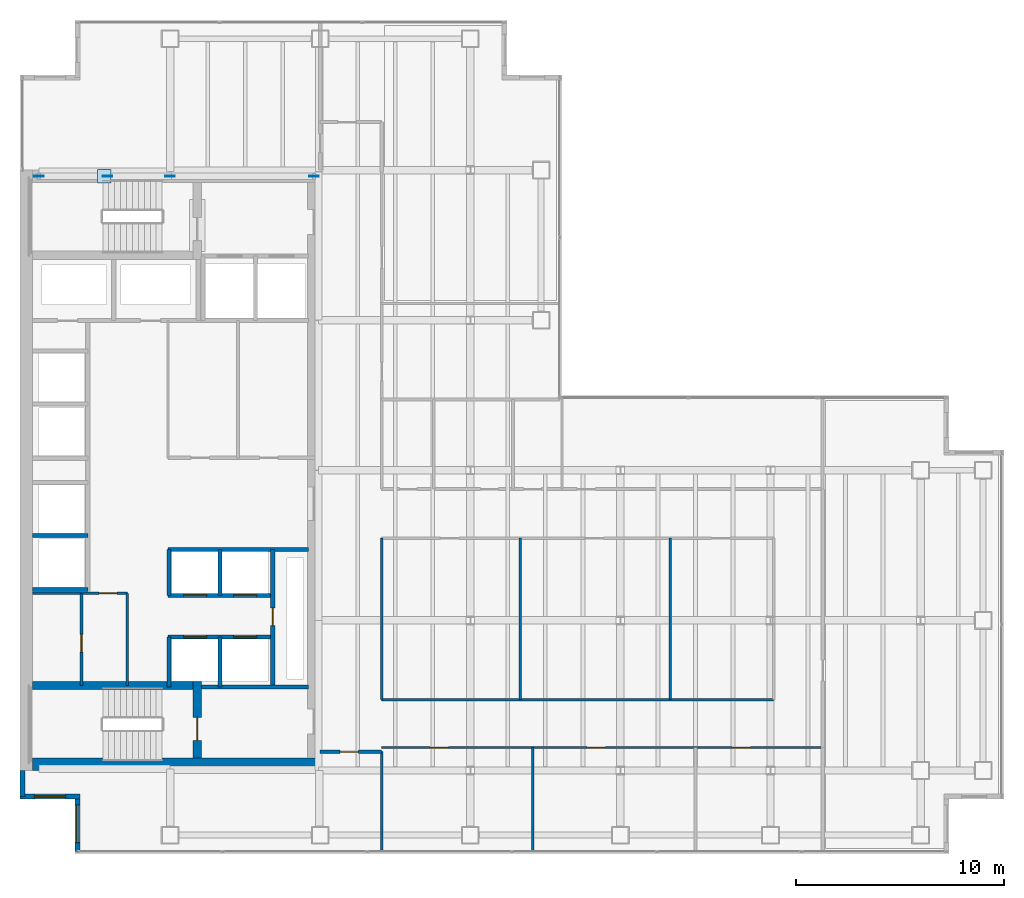
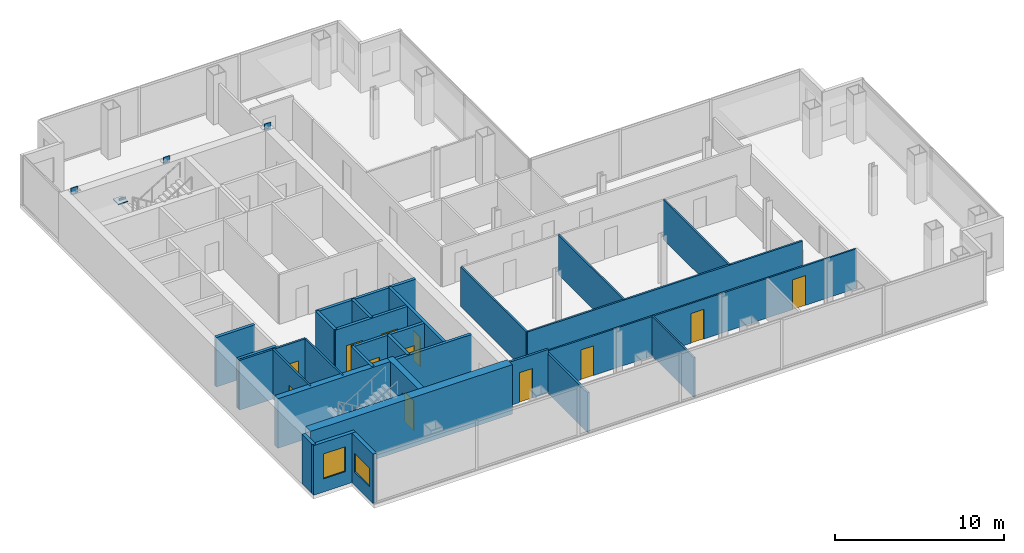
# One storey, part 20 of 24: 28 walls, 12 doors, 5 plates, 2 windows, 14 openings.
"""IFC4 building model written with IfcOpenShell, lengths in metres."""

from ifc_helpers import new_model, si_unit, direction, frame, frame_2d, origin, origin_2d, place, context, subcontext, project, spatial, rectangle, extrude, material, layer, layer_set, type_object, element, fill, save


model = new_model("IFC4")

# Units and contexts
model_context = context("Model", 3, precision=1e-05, world=origin(), true_north=direction((0.0, 1.0)))
body_context = subcontext(model_context, "Body", "Model", "MODEL_VIEW")
ifc_project = project(units=[si_unit("LENGTHUNIT", "METRE"), si_unit("AREAUNIT", "SQUARE_METRE"), si_unit("VOLUMEUNIT", "CUBIC_METRE"), si_unit("PLANEANGLEUNIT", "RADIAN"), si_unit("MASSUNIT", "GRAM", prefix="KILO")], contexts=[model_context])

# Site, building, storey
site_placement = place(None, origin())
site = spatial("IfcSite", under=ifc_project, at=site_placement, CompositionType="ELEMENT")
building_placement = place(site_placement, origin())
building = spatial("IfcBuilding", under=site, at=building_placement, Name="Cobrela Telecom Tower", CompositionType="ELEMENT")
storey_placement = place(building_placement, frame((0.0, 0.0, 152.25)))
storey = spatial("IfcBuildingStorey", under=building, at=storey_placement, Name="L38", CompositionType="ELEMENT", Elevation=152.25)

# Plates
ifc_material_1 = material(Name="Steel ASTM A572 Grade 50", Category="steel")
ifc_layer_1 = layer(ifc_material_1, 0.0419921875)
ifc_layer_set_1 = layer_set([ifc_layer_1], Name="Steel ASTM A572 Grade 50")
plate_type = type_object("IfcPlateType", Name="PLT-NODE-ND1", PredefinedType="USERDEFINED", material=ifc_layer_set_1)
for number, where, z_axis, x_axis, name in (
    (1, (7.199951171875, 35.699951171875, 3.39013671875), (0.0, 0.0, 1.0), (1.0, 0.0, 0.0), "Steel node plate PLT-MBR-EXO-L38-N1-A-1"),
    (2, (4.1953125, 35.699951171875, 1.4755859375), (0.0, 0.0, 1.0), (-1.0, 0.0, 0.0), "Steel node plate PLT-MBR-EXO-L38-N1-B1-1"),
    (3, (0.89990234375, 35.699951171875, 3.39013671875), (0.0, 0.0, 1.0), (-1.0, 0.0, 0.0), "Steel node plate PLT-MBR-EXO-L38-N1-B2-1"),
):
    element("IfcPlate", number, at=place(storey_placement, frame(where, z_axis=z_axis, x_axis=x_axis)), inside=storey, type_object=plate_type, Name=name, ObjectType="GUSSET PLATE", PredefinedType="USERDEFINED", context=body_context, shape_type="SweptSolid", body=[
        extrude(rectangle(XDim=0.4599609375, YDim=0.044921875, at=origin_2d()), origin(), (0.0, 0.0, 1.0), 0.4599609375),
    ])
plate_1_placement = place(storey_placement, frame((4.050048828125, 35.699951171875, 1.767578125), z_axis=(0.0, 0.0, 1.0), x_axis=(1.0, 0.0, 0.0)))
element("IfcPlate", 4, at=plate_1_placement, inside=storey, type_object=plate_type, Name="L38 Core Flange Steel X-Brace Central X-Crossing Gusset Plate", ObjectType="GUSSET PLATE", PredefinedType="USERDEFINED", context=body_context, shape_type="SweptSolid", body=[
    extrude(rectangle(XDim=0.64990234375, YDim=0.64990234375, at=origin_2d()), origin(), (0.0, 0.0, 1.0), 0.044921875),
])
plate_2_placement = place(storey_placement, frame((14.10009765625, 35.699951171875, 3.39013671875), z_axis=(0.0, 0.0, 1.0), x_axis=(1.0, 0.0, 0.0)))
element("IfcPlate", 5, at=plate_2_placement, inside=storey, type_object=plate_type, Name="Steel node plate PLT-MBR-EXO-L38-N2-1", ObjectType="GUSSET PLATE", PredefinedType="USERDEFINED", context=body_context, shape_type="SweptSolid", body=[
    extrude(rectangle(XDim=0.4599609375, YDim=0.044921875, at=origin_2d()), origin(), (0.0, 0.0, 1.0), 0.4599609375),
])

# Wall
ifc_material_2 = material(Name="Concrete C50/60", Category="concrete")
ifc_layer_2 = layer(ifc_material_2, 0.60009765625)
ifc_layer_set_2 = layer_set([ifc_layer_2], Name="Concrete C50/60")
wall_type_1 = type_object("IfcWallType", Name="WALL-CORE-C50-600", PredefinedType="SHEAR", material=ifc_layer_set_2)
wall_1_placement = place(storey_placement, frame((0.60009765625, 7.5, 0.0), z_axis=(0.0, 0.0, 1.0), x_axis=(1.0, 0.0, 0.0)))
element("IfcWall", 6, at=wall_1_placement, inside=storey, type_object=wall_type_1, Name="L38 South Core Shear Wall", PredefinedType="SHEAR", context=body_context, shape_type="SweptSolid", body=[
    extrude(rectangle(XDim=13.7998046875, YDim=0.60009765625, at=frame_2d((6.89990234375, 0.0))), origin(), (0.0, 0.0, 1.0), 3.580078125),
])

# Wall, opening, window
ifc_material_3 = material(Name="Concrete C40/50", Category="concrete")
ifc_layer_3 = layer(ifc_material_3, 0.239990234375)
ifc_layer_set_3 = layer_set([ifc_layer_3], Name="Concrete C40/50")
wall_type_2 = type_object("IfcWallType", Name="WALL-EXT-300", PredefinedType="STANDARD", material=ifc_layer_set_3)
wall_2_placement = place(storey_placement, frame((2.75, 3.320068359375, 0.0), z_axis=(0.0, 0.0, 1.0), x_axis=(0.0, 1.0, 0.0)))
wall_2 = element("IfcWall", 7, at=wall_2_placement, inside=storey, type_object=wall_type_2, Name="L38 Insulated Facade Wall 01", PredefinedType="STANDARD", context=body_context, shape_type="SweptSolid", body=[
    extrude(rectangle(XDim=2.6298828125, YDim=0.239990234375, at=frame_2d((1.31494140625, 0.0))), origin(), (0.0, 0.0, 1.0), 3.580078125),
])
opening_1_placement = place(wall_2_placement, frame((0.4150390625, 0.0, 0.949951171875)))
opening_1 = element("IfcOpeningElement", 8, at=opening_1_placement, cuts=wall_2, Name="Opening WN-27", PredefinedType="OPENING", context=body_context, shape_type="SweptSolid", body=[
    extrude(rectangle(XDim=1.800048828125, YDim=1.35009765625, at=frame_2d((0.89990234375, 0.675048828125))), frame((0.0, 0.1318359375, 0.0), z_axis=(0.0, -1.0, 0.0), x_axis=(1.0, 0.0, 0.0)), (0.0, 0.0, 1.0), 0.263916015625),
])
ifc_material_4 = material(Name="Solar-Control Bronze Low-E Glass", Category="glass")
window_type_1 = type_object("IfcWindowType", Name="WIN-CLER-1800", PartitioningType="SINGLE_PANEL", PredefinedType="WINDOW", material=ifc_material_4)
window_1_placement = place(opening_1_placement, origin())
window_1 = element("IfcWindow", 9, at=window_1_placement, inside=storey, type_object=window_type_1, Name="L38 Corner Notch Facade Window 180", OverallHeight=1.35009765625, OverallWidth=1.800048828125, PartitioningType="SINGLE_PANEL", PredefinedType="WINDOW", context=body_context, shape_type="SweptSolid", body=[
    extrude(rectangle(XDim=1.800048828125, YDim=1.35009765625, at=frame_2d((0.89990234375, 0.675048828125))), frame((0.0, 0.030029296875, 0.0), z_axis=(0.0, -1.0, 0.0), x_axis=(1.0, 0.0, 0.0)), (0.0, 0.0, 1.0), 0.06005859375),
])
fill(opening_1, window_1)

wall_3_placement = place(storey_placement, frame((2.8701171875, 5.949951171875, 0.0), z_axis=(0.0, 0.0, 1.0), x_axis=(-1.0, 0.0, 0.0)))
wall_3 = element("IfcWall", 10, at=wall_3_placement, inside=storey, type_object=wall_type_2, Name="L38 Insulated Facade Wall 02", PredefinedType="STANDARD", context=body_context, shape_type="SweptSolid", body=[
    extrude(rectangle(XDim=2.8701171875, YDim=0.239990234375, at=frame_2d((1.43505859375, 0.0))), origin(), (0.0, 0.0, 1.0), 3.580078125),
])
opening_2_placement = place(wall_3_placement, frame((0.68505859375, 0.0, 0.949951171875)))
opening_2 = element("IfcOpeningElement", 11, at=opening_2_placement, cuts=wall_3, Name="Opening WN-45", PredefinedType="OPENING", context=body_context, shape_type="SweptSolid", body=[
    extrude(rectangle(XDim=1.5, YDim=1.800048828125, at=frame_2d((0.75, 0.89990234375))), frame((0.0, 0.1318359375, 0.0), z_axis=(0.0, -1.0, 0.0), x_axis=(1.0, 0.0, 0.0)), (0.0, 0.0, 1.0), 0.263916015625),
])
window_type_2 = type_object("IfcWindowType", Name="WIN-MOD-1500", PartitioningType="SINGLE_PANEL", PredefinedType="WINDOW", material=ifc_material_4)
window_2_placement = place(opening_2_placement, origin())
window_2 = element("IfcWindow", 12, at=window_2_placement, inside=storey, type_object=window_type_2, Name="L38 Corner Notch Facade Window 181", OverallHeight=1.800048828125, OverallWidth=1.5, PartitioningType="SINGLE_PANEL", PredefinedType="WINDOW", context=body_context, shape_type="SweptSolid", body=[
    extrude(rectangle(XDim=1.5, YDim=1.800048828125, at=frame_2d((0.75, 0.89990234375))), frame((0.0, 0.030029296875, 0.0), z_axis=(0.0, -1.0, 0.0), x_axis=(1.0, 0.0, 0.0)), (0.0, 0.0, 1.0), 0.06005859375),
])
fill(opening_2, window_2)

# Walls
wall_4_placement = place(storey_placement, frame((0.1201171875, 5.949951171875, 0.0), z_axis=(0.0, 0.0, 1.0), x_axis=(0.0, 1.0, 0.0)))
element("IfcWall", 13, at=wall_4_placement, inside=storey, type_object=wall_type_2, Name="L38 Insulated Facade Wall 03", PredefinedType="STANDARD", context=body_context, shape_type="SweptSolid", body=[
    extrude(rectangle(XDim=1.25, YDim=0.239990234375, at=frame_2d((0.625, 0.0))), origin(), (0.0, 0.0, 1.0), 3.580078125),
])
ifc_material_5 = material(Name="Fire-Rated Gypsum Plasterboard")
ifc_layer_4 = layer(ifc_material_5, 0.110107421875)
ifc_layer_set_4 = layer_set([ifc_layer_4], Name="Fire-Rated Gypsum Plasterboard")
wall_type_3 = type_object("IfcWallType", Name="WALL-PART-110", PredefinedType="PARTITIONING", material=ifc_layer_set_4)
wall_5_placement = place(storey_placement, frame((5.14990234375, 11.280029296875, 0.0), z_axis=(0.0, 0.0, 1.0), x_axis=(0.0, 1.0, 0.0)))
element("IfcWall", 14, at=wall_5_placement, inside=storey, type_object=wall_type_3, Name="L38 Interior Partition CW-FLEX-E", PredefinedType="PARTITIONING", context=body_context, shape_type="SweptSolid", body=[
    extrude(rectangle(XDim=4.419921875, YDim=0.110107421875, at=frame_2d((2.2099609375, 0.0))), origin(), (0.0, 0.0, 1.0), 3.580078125),
])

# Wall, openings, doors
wall_6_placement = place(storey_placement, frame((17.35009765625, 8.300048828125, 0.0), z_axis=(0.0, 0.0, 1.0), x_axis=(1.0, 0.0, 0.0)))
wall_6 = element("IfcWall", 15, at=wall_6_placement, inside=storey, type_object=wall_type_3, Name="L38 Interior Partition W-US-S", PredefinedType="PARTITIONING", context=body_context, shape_type="SweptSolid", body=[
    extrude(rectangle(XDim=21.14990234375, YDim=0.110107421875, at=frame_2d((10.574951171875, 0.0))), origin(), (0.0, 0.0, 1.0), 2.868896484375),
])
opening_3_placement = place(wall_6_placement, frame((2.320068359375, 0.0, 0.0)))
opening_3 = element("IfcOpeningElement", 16, at=opening_3_placement, cuts=wall_6, Name="Opening DR-39", PredefinedType="OPENING", context=body_context, shape_type="SweptSolid", body=[
    extrude(rectangle(XDim=0.8798828125, YDim=2.14990234375, at=frame_2d((0.43994140625, 1.074951171875))), frame((0.0, 0.06689453125, 0.0), z_axis=(0.0, -1.0, 0.0), x_axis=(1.0, 0.0, 0.0)), (0.0, 0.0, 1.0), 0.134033203125),
])
opening_4_placement = place(wall_6_placement, frame((9.85009765625, 0.0, 0.0)))
opening_4 = element("IfcOpeningElement", 17, at=opening_4_placement, cuts=wall_6, Name="Opening DR-39", PredefinedType="OPENING", context=body_context, shape_type="SweptSolid", body=[
    extrude(rectangle(XDim=0.8798828125, YDim=2.14990234375, at=frame_2d((0.43994140625, 1.074951171875))), frame((0.0, 0.06689453125, 0.0), z_axis=(0.0, -1.0, 0.0), x_axis=(1.0, 0.0, 0.0)), (0.0, 0.0, 1.0), 0.134033203125),
])
opening_5_placement = place(wall_6_placement, frame((16.800048828125, 0.0, 0.0)))
opening_5 = element("IfcOpeningElement", 18, at=opening_5_placement, cuts=wall_6, Name="Opening DR-39", PredefinedType="OPENING", context=body_context, shape_type="SweptSolid", body=[
    extrude(rectangle(XDim=0.8798828125, YDim=2.14990234375, at=frame_2d((0.43994140625, 1.074951171875))), frame((0.0, 0.06689453125, 0.0), z_axis=(0.0, -1.0, 0.0), x_axis=(1.0, 0.0, 0.0)), (0.0, 0.0, 1.0), 0.134033203125),
])
ifc_material_6 = material(Name="Solid Engineered Oak Timber", Category="wood")
door_type_1 = type_object("IfcDoorType", Name="DOOR-INT-880", OperationType="SINGLE_SWING_LEFT", PredefinedType="DOOR", material=ifc_material_6)
door_1_placement = place(opening_3_placement, origin())
door_1 = element("IfcDoor", 19, at=door_1_placement, inside=storey, type_object=door_type_1, Name="L38 Door DR-39", OperationType="SINGLE_SWING_LEFT", OverallHeight=2.14990234375, OverallWidth=0.8798828125, PredefinedType="DOOR", context=body_context, shape_type="SweptSolid", body=[
    extrude(rectangle(XDim=0.8798828125, YDim=2.14990234375, at=frame_2d((0.43994140625, 1.074951171875))), frame((0.0, 0.02490234375, 0.0), z_axis=(0.0, -1.0, 0.0), x_axis=(1.0, 0.0, 0.0)), (0.0, 0.0, 1.0), 0.050048828125),
])
fill(opening_3, door_1)
door_2_placement = place(opening_4_placement, origin())
door_2 = element("IfcDoor", 20, at=door_2_placement, inside=storey, type_object=door_type_1, Name="L38 Door DR-39", OperationType="SINGLE_SWING_RIGHT", OverallHeight=2.14990234375, OverallWidth=0.8798828125, PredefinedType="DOOR", context=body_context, shape_type="SweptSolid", body=[
    extrude(rectangle(XDim=0.8798828125, YDim=2.14990234375, at=frame_2d((0.43994140625, 1.074951171875))), frame((0.0, 0.02490234375, 0.0), z_axis=(0.0, -1.0, 0.0), x_axis=(1.0, 0.0, 0.0)), (0.0, 0.0, 1.0), 0.050048828125),
])
fill(opening_4, door_2)
door_3_placement = place(opening_5_placement, origin())
door_3 = element("IfcDoor", 21, at=door_3_placement, inside=storey, type_object=door_type_1, Name="L38 Door DR-39", OperationType="SINGLE_SWING_LEFT", OverallHeight=2.14990234375, OverallWidth=0.8798828125, PredefinedType="DOOR", context=body_context, shape_type="SweptSolid", body=[
    extrude(rectangle(XDim=0.8798828125, YDim=2.14990234375, at=frame_2d((0.43994140625, 1.074951171875))), frame((0.0, 0.02490234375, 0.0), z_axis=(0.0, -1.0, 0.0), x_axis=(1.0, 0.0, 0.0)), (0.0, 0.0, 1.0), 0.050048828125),
])
fill(opening_5, door_3)

# Wall
wall_7_placement = place(storey_placement, frame((24.60009765625, 3.320068359375, 0.0), z_axis=(0.0, 0.0, 1.0), x_axis=(0.0, 1.0, 0.0)))
element("IfcWall", 22, at=wall_7_placement, inside=storey, type_object=wall_type_3, Name="L38 Interior Partition W-USV-1", PredefinedType="PARTITIONING", context=body_context, shape_type="SweptSolid", body=[
    extrude(rectangle(XDim=4.97998046875, YDim=0.110107421875, at=frame_2d((2.489990234375, 0.0))), origin(), (0.0, 0.0, 1.0), 2.868896484375),
])

# Wall, opening, door
ifc_layer_5 = layer(ifc_material_5, 0.125)
ifc_layer_set_5 = layer_set([ifc_layer_5], Name="Fire-Rated Gypsum Plasterboard")
wall_type_4 = type_object("IfcWallType", Name="WALL-PART-125", PredefinedType="PARTITIONING", material=ifc_layer_set_5)
wall_8_placement = place(storey_placement, frame((2.949951171875, 11.280029296875, 0.0), z_axis=(0.0, 0.0, 1.0), x_axis=(0.0, 1.0, 0.0)))
wall_8 = element("IfcWall", 23, at=wall_8_placement, inside=storey, type_object=wall_type_4, Name="L38 Interior Partition CW-FK1-V", PredefinedType="PARTITIONING", context=body_context, shape_type="SweptSolid", body=[
    extrude(rectangle(XDim=4.419921875, YDim=0.125, at=frame_2d((2.2099609375, 0.0))), origin(), (0.0, 0.0, 1.0), 3.580078125),
])
opening_6_placement = place(wall_8_placement, frame((1.60009765625, 0.0, 0.0)))
opening_6 = element("IfcOpeningElement", 24, at=opening_6_placement, cuts=wall_8, Name="Opening DR-11", PredefinedType="OPENING", context=body_context, shape_type="SweptSolid", body=[
    extrude(rectangle(XDim=0.85009765625, YDim=2.14990234375, at=frame_2d((0.425048828125, 1.074951171875))), frame((0.0, 0.074462890625, 0.0), z_axis=(0.0, -1.0, 0.0), x_axis=(1.0, 0.0, 0.0)), (0.0, 0.0, 1.0), 0.14892578125),
])
door_type_2 = type_object("IfcDoorType", Name="DOOR-INT-850", OperationType="SINGLE_SWING_LEFT", PredefinedType="DOOR", material=ifc_material_6)
door_4_placement = place(opening_6_placement, origin())
door_4 = element("IfcDoor", 25, at=door_4_placement, inside=storey, type_object=door_type_2, Name="L38 Door DR-11", OperationType="SINGLE_SWING_RIGHT", OverallHeight=2.14990234375, OverallWidth=0.85009765625, PredefinedType="DOOR", context=body_context, shape_type="SweptSolid", body=[
    extrude(rectangle(XDim=0.85009765625, YDim=2.14990234375, at=frame_2d((0.425048828125, 1.074951171875))), frame((0.0, 0.02490234375, 0.0), z_axis=(0.0, -1.0, 0.0), x_axis=(1.0, 0.0, 0.0)), (0.0, 0.0, 1.0), 0.050048828125),
])
fill(opening_6, door_4)

# Walls
wall_9_placement = place(storey_placement, frame((17.35009765625, 10.60009765625, 0.0), z_axis=(0.0, 0.0, 1.0), x_axis=(0.0, 1.0, 0.0)))
element("IfcWall", 26, at=wall_9_placement, inside=storey, type_object=wall_type_4, Name="L38 Interior Partition W-ISL-W", PredefinedType="PARTITIONING", context=body_context, shape_type="SweptSolid", body=[
    extrude(rectangle(XDim=7.75, YDim=0.125, at=frame_2d((3.875, 0.0))), origin(), (0.0, 0.0, 1.0), 2.868896484375),
])
wall_10_placement = place(storey_placement, frame((17.35009765625, 10.60009765625, 0.0), z_axis=(0.0, 0.0, 1.0), x_axis=(1.0, 0.0, 0.0)))
element("IfcWall", 27, at=wall_10_placement, inside=storey, type_object=wall_type_4, Name="L38 Interior Partition W-ISL-S", PredefinedType="PARTITIONING", context=body_context, shape_type="SweptSolid", body=[
    extrude(rectangle(XDim=18.7998046875, YDim=0.125, at=frame_2d((9.39990234375, 0.0))), origin(), (0.0, 0.0, 1.0), 2.868896484375),
])
for number, where, z_axis, x_axis, name in (
    (28, (24.0, 10.60009765625, 0.0), (0.0, 0.0, 1.0), (0.0, 1.0, 0.0), "L38 Interior Partition W-ISLV-1"),
    (29, (31.199951171875, 10.60009765625, 0.0), (0.0, 0.0, 1.0), (0.0, 1.0, 0.0), "L38 Interior Partition W-ISLV-2"),
):
    element("IfcWall", number, at=place(storey_placement, frame(where, z_axis=z_axis, x_axis=x_axis)), inside=storey, type_object=wall_type_4, Name=name, PredefinedType="PARTITIONING", context=body_context, shape_type="SweptSolid", body=[
        extrude(rectangle(XDim=7.75, YDim=0.125, at=frame_2d((3.875, 0.0))), origin(), (0.0, 0.0, 1.0), 2.868896484375),
    ])

# Wall, opening, door
ifc_layer_6 = layer(ifc_material_5, 0.135009765625)
ifc_layer_set_6 = layer_set([ifc_layer_6], Name="Fire-Rated Gypsum Plasterboard")
wall_type_5 = type_object("IfcWallType", Name="WALL-PART-135", PredefinedType="PARTITIONING", material=ifc_layer_set_6)
wall_11_placement = place(storey_placement, frame((0.60009765625, 15.699951171875, 0.0), z_axis=(0.0, 0.0, 1.0), x_axis=(1.0, 0.0, 0.0)))
wall_11 = element("IfcWall", 30, at=wall_11_placement, inside=storey, type_object=wall_type_5, Name="L38 Interior Partition CW-FLEX-N", PredefinedType="PARTITIONING", context=body_context, shape_type="SweptSolid", body=[
    extrude(rectangle(XDim=4.5498046875, YDim=0.135009765625, at=frame_2d((2.27490234375, 0.0))), origin(), (0.0, 0.0, 1.0), 3.580078125),
])
opening_7_placement = place(wall_11_placement, frame((3.199951171875, 0.0, 0.0)))
opening_7 = element("IfcOpeningElement", 31, at=opening_7_placement, cuts=wall_11, Name="Opening DR-11", PredefinedType="OPENING", context=body_context, shape_type="SweptSolid", body=[
    extrude(rectangle(XDim=0.85009765625, YDim=2.14990234375, at=frame_2d((0.425048828125, 1.074951171875))), frame((0.0, 0.07958984375, 0.0), z_axis=(0.0, -1.0, 0.0), x_axis=(1.0, 0.0, 0.0)), (0.0, 0.0, 1.0), 0.158935546875),
])
door_5_placement = place(opening_7_placement, origin())
door_5 = element("IfcDoor", 32, at=door_5_placement, inside=storey, type_object=door_type_2, Name="L38 Door DR-11", OperationType="SINGLE_SWING_LEFT", OverallHeight=2.14990234375, OverallWidth=0.85009765625, PredefinedType="DOOR", context=body_context, shape_type="SweptSolid", body=[
    extrude(rectangle(XDim=0.85009765625, YDim=2.14990234375, at=frame_2d((0.425048828125, 1.074951171875))), frame((0.0, 0.02490234375, 0.0), z_axis=(0.0, -1.0, 0.0), x_axis=(1.0, 0.0, 0.0)), (0.0, 0.0, 1.0), 0.050048828125),
])
fill(opening_7, door_5)

# Wall
wall_12_placement = place(storey_placement, frame((17.35009765625, 3.320068359375, 0.0), z_axis=(0.0, 0.0, 1.0), x_axis=(0.0, 1.0, 0.0)))
element("IfcWall", 33, at=wall_12_placement, inside=storey, type_object=wall_type_5, Name="L38 Interior Partition W-USW-E", PredefinedType="PARTITIONING", context=body_context, shape_type="SweptSolid", body=[
    extrude(rectangle(XDim=4.780029296875, YDim=0.135009765625, at=frame_2d((2.39013671875, 0.0))), origin(), (0.0, 0.0, 1.0), 2.868896484375),
])

# Wall, opening, door
ifc_layer_7 = layer(ifc_material_5, 0.14990234375)
ifc_layer_set_7 = layer_set([ifc_layer_7], Name="Fire-Rated Gypsum Plasterboard")
wall_type_6 = type_object("IfcWallType", Name="WALL-PART-150", PredefinedType="PARTITIONING", material=ifc_layer_set_7)
wall_13_placement = place(storey_placement, frame((14.39990234375, 8.10009765625, 0.0), z_axis=(0.0, 0.0, 1.0), x_axis=(1.0, 0.0, 0.0)))
wall_13 = element("IfcWall", 34, at=wall_13_placement, inside=storey, type_object=wall_type_6, Name="L38 Interior Partition W-UW-S0", PredefinedType="PARTITIONING", context=body_context, shape_type="SweptSolid", body=[
    extrude(rectangle(XDim=2.9501953125, YDim=0.14990234375, at=frame_2d((1.47509765625, 0.0))), origin(), (0.0, 0.0, 1.0), 3.14794921875),
])
opening_8_placement = place(wall_13_placement, frame((0.949951171875, 0.0, 0.0)))
opening_8 = element("IfcOpeningElement", 35, at=opening_8_placement, cuts=wall_13, Name="Opening DR-39", PredefinedType="OPENING", context=body_context, shape_type="SweptSolid", body=[
    extrude(rectangle(XDim=0.8798828125, YDim=2.14990234375, at=frame_2d((0.43994140625, 1.074951171875))), frame((0.0, 0.0869140625, 0.0), z_axis=(0.0, -1.0, 0.0), x_axis=(1.0, 0.0, 0.0)), (0.0, 0.0, 1.0), 0.173828125),
])
door_6_placement = place(opening_8_placement, origin())
door_6 = element("IfcDoor", 36, at=door_6_placement, inside=storey, type_object=door_type_1, Name="L38 Door DR-39", OperationType="SINGLE_SWING_RIGHT", OverallHeight=2.14990234375, OverallWidth=0.8798828125, PredefinedType="DOOR", context=body_context, shape_type="SweptSolid", body=[
    extrude(rectangle(XDim=0.8798828125, YDim=2.14990234375, at=frame_2d((0.43994140625, 1.074951171875))), frame((0.0, 0.02490234375, 0.0), z_axis=(0.0, -1.0, 0.0), x_axis=(1.0, 0.0, 0.0)), (0.0, 0.0, 1.0), 0.050048828125),
])
fill(opening_8, door_6)

# Walls
ifc_layer_8 = layer(ifc_material_5, 0.199951171875)
ifc_layer_set_8 = layer_set([ifc_layer_8], Name="Fire-Rated Gypsum Plasterboard")
wall_type_7 = type_object("IfcWallType", Name="WALL-SHAFT-200", PredefinedType="PARTITIONING", material=ifc_layer_set_8)
wall_14_placement = place(storey_placement, frame((8.699951171875, 11.199951171875, 0.0), z_axis=(0.0, 0.0, 1.0), x_axis=(1.0, 0.0, 0.0)))
element("IfcWall", 37, at=wall_14_placement, inside=storey, type_object=wall_type_7, Name="L38 Shaft Enclosure CW-ST2L-N", PredefinedType="PARTITIONING", context=body_context, shape_type="SweptSolid", body=[
    extrude(rectangle(XDim=5.150146484375, YDim=0.199951171875, at=frame_2d((2.5751953125, 0.0))), origin(), (0.0, 0.0, 1.0), 3.580078125),
])
for number, where, z_axis, x_axis, name in (
    (38, (0.60009765625, 15.8798828125, 0.0), (0.0, 0.0, 1.0), (1.0, 0.0, 0.0), "L38 Shaft Enclosure CW-PLH-D9"),
    (39, (0.60009765625, 18.47998046875, 0.0), (0.0, 0.0, 1.0), (1.0, 0.0, 0.0), "L38 Shaft Enclosure CW-PLH-D10"),
):
    element("IfcWall", number, at=place(storey_placement, frame(where, z_axis=z_axis, x_axis=x_axis)), inside=storey, type_object=wall_type_7, Name=name, PredefinedType="PARTITIONING", context=body_context, shape_type="SweptSolid", body=[
        extrude(rectangle(XDim=2.64990234375, YDim=0.199951171875, at=frame_2d((1.324951171875, 0.0))), origin(), (0.0, 0.0, 1.0), 3.580078125),
    ])
wall_15_placement = place(storey_placement, frame((7.10009765625, 17.800048828125, 0.0), z_axis=(0.0, 0.0, 1.0), x_axis=(1.0, 0.0, 0.0)))
element("IfcWall", 40, at=wall_15_placement, inside=storey, type_object=wall_type_7, Name="L38 Shaft Enclosure CW-PLM-T0", PredefinedType="PARTITIONING", context=body_context, shape_type="SweptSolid", body=[
    extrude(rectangle(XDim=6.75, YDim=0.199951171875, at=frame_2d((3.375, 0.0))), origin(), (0.0, 0.0, 1.0), 3.580078125),
])

# Wall, openings, doors
wall_16_placement = place(storey_placement, frame((7.10009765625, 15.60009765625, 0.0), z_axis=(0.0, 0.0, 1.0), x_axis=(1.0, 0.0, 0.0)))
wall_16 = element("IfcWall", 41, at=wall_16_placement, inside=storey, type_object=wall_type_7, Name="L38 Shaft Enclosure CW-PLM-N", PredefinedType="PARTITIONING", context=body_context, shape_type="SweptSolid", body=[
    extrude(rectangle(XDim=5.02001953125, YDim=0.199951171875, at=frame_2d((2.510009765625, 0.0))), origin(), (0.0, 0.0, 1.0), 3.580078125),
])
opening_9_placement = place(wall_16_placement, frame((0.75, 0.0, 0.0)))
opening_9 = element("IfcOpeningElement", 42, at=opening_9_placement, cuts=wall_16, Name="Opening LD-1", PredefinedType="OPENING", context=body_context, shape_type="SweptSolid", body=[
    extrude(rectangle(XDim=1.10009765625, YDim=2.199951171875, at=frame_2d((0.550048828125, 1.10009765625))), frame((0.0, 0.11181640625, 0.0), z_axis=(0.0, -1.0, 0.0), x_axis=(1.0, 0.0, 0.0)), (0.0, 0.0, 1.0), 0.223876953125),
])
opening_10_placement = place(wall_16_placement, frame((3.14990234375, 0.0, 0.0)))
opening_10 = element("IfcOpeningElement", 43, at=opening_10_placement, cuts=wall_16, Name="Opening LD-1", PredefinedType="OPENING", context=body_context, shape_type="SweptSolid", body=[
    extrude(rectangle(XDim=1.10009765625, YDim=2.199951171875, at=frame_2d((0.550048828125, 1.10009765625))), frame((0.0, 0.11181640625, 0.0), z_axis=(0.0, -1.0, 0.0), x_axis=(1.0, 0.0, 0.0)), (0.0, 0.0, 1.0), 0.223876953125),
])
ifc_material_7 = material(Name="Steel ASTM A36", Category="steel")
door_type_3 = type_object("IfcDoorType", Name="DOOR-LD-PL", OperationType="SINGLE_SWING_LEFT", PredefinedType="DOOR", material=ifc_material_7)
door_7_placement = place(opening_9_placement, origin())
door_7 = element("IfcDoor", 44, at=door_7_placement, inside=storey, type_object=door_type_3, Name="L38 Lift Landing Door LD-1", OperationType="DOUBLE_DOOR_SLIDING", OverallHeight=2.199951171875, OverallWidth=1.10009765625, PredefinedType="DOOR", context=body_context, shape_type="SweptSolid", body=[
    extrude(rectangle(XDim=1.10009765625, YDim=2.199951171875, at=frame_2d((0.550048828125, 1.10009765625))), frame((0.0, 0.02490234375, 0.0), z_axis=(0.0, -1.0, 0.0), x_axis=(1.0, 0.0, 0.0)), (0.0, 0.0, 1.0), 0.050048828125),
])
fill(opening_9, door_7)
door_8_placement = place(opening_10_placement, origin())
door_8 = element("IfcDoor", 45, at=door_8_placement, inside=storey, type_object=door_type_3, Name="L38 Lift Landing Door LD-1", OperationType="DOUBLE_DOOR_SLIDING", OverallHeight=2.199951171875, OverallWidth=1.10009765625, PredefinedType="DOOR", context=body_context, shape_type="SweptSolid", body=[
    extrude(rectangle(XDim=1.10009765625, YDim=2.199951171875, at=frame_2d((0.550048828125, 1.10009765625))), frame((0.0, 0.02490234375, 0.0), z_axis=(0.0, -1.0, 0.0), x_axis=(1.0, 0.0, 0.0)), (0.0, 0.0, 1.0), 0.050048828125),
])
fill(opening_10, door_8)

wall_17_placement = place(storey_placement, frame((7.10009765625, 13.60009765625, 0.0), z_axis=(0.0, 0.0, 1.0), x_axis=(1.0, 0.0, 0.0)))
wall_17 = element("IfcWall", 46, at=wall_17_placement, inside=storey, type_object=wall_type_7, Name="L38 Shaft Enclosure CW-PLM-S", PredefinedType="PARTITIONING", context=body_context, shape_type="SweptSolid", body=[
    extrude(rectangle(XDim=5.02001953125, YDim=0.199951171875, at=frame_2d((2.510009765625, 0.0))), origin(), (0.0, 0.0, 1.0), 3.580078125),
])
opening_11_placement = place(wall_17_placement, frame((0.75, 0.0, 0.0)))
opening_11 = element("IfcOpeningElement", 47, at=opening_11_placement, cuts=wall_17, Name="Opening LD-1", PredefinedType="OPENING", context=body_context, shape_type="SweptSolid", body=[
    extrude(rectangle(XDim=1.10009765625, YDim=2.199951171875, at=frame_2d((0.550048828125, 1.10009765625))), frame((0.0, 0.11181640625, 0.0), z_axis=(0.0, -1.0, 0.0), x_axis=(1.0, 0.0, 0.0)), (0.0, 0.0, 1.0), 0.223876953125),
])
opening_12_placement = place(wall_17_placement, frame((3.14990234375, 0.0, 0.0)))
opening_12 = element("IfcOpeningElement", 48, at=opening_12_placement, cuts=wall_17, Name="Opening LD-1", PredefinedType="OPENING", context=body_context, shape_type="SweptSolid", body=[
    extrude(rectangle(XDim=1.10009765625, YDim=2.199951171875, at=frame_2d((0.550048828125, 1.10009765625))), frame((0.0, 0.11181640625, 0.0), z_axis=(0.0, -1.0, 0.0), x_axis=(1.0, 0.0, 0.0)), (0.0, 0.0, 1.0), 0.223876953125),
])
door_9_placement = place(opening_11_placement, origin())
door_9 = element("IfcDoor", 49, at=door_9_placement, inside=storey, type_object=door_type_3, Name="L38 Lift Landing Door LD-1", OperationType="DOUBLE_DOOR_SLIDING", OverallHeight=2.199951171875, OverallWidth=1.10009765625, PredefinedType="DOOR", context=body_context, shape_type="SweptSolid", body=[
    extrude(rectangle(XDim=1.10009765625, YDim=2.199951171875, at=frame_2d((0.550048828125, 1.10009765625))), frame((0.0, 0.02490234375, 0.0), z_axis=(0.0, -1.0, 0.0), x_axis=(1.0, 0.0, 0.0)), (0.0, 0.0, 1.0), 0.050048828125),
])
fill(opening_11, door_9)
door_10_placement = place(opening_12_placement, origin())
door_10 = element("IfcDoor", 50, at=door_10_placement, inside=storey, type_object=door_type_3, Name="L38 Lift Landing Door LD-1", OperationType="DOUBLE_DOOR_SLIDING", OverallHeight=2.199951171875, OverallWidth=1.10009765625, PredefinedType="DOOR", context=body_context, shape_type="SweptSolid", body=[
    extrude(rectangle(XDim=1.10009765625, YDim=2.199951171875, at=frame_2d((0.550048828125, 1.10009765625))), frame((0.0, 0.02490234375, 0.0), z_axis=(0.0, -1.0, 0.0), x_axis=(1.0, 0.0, 0.0)), (0.0, 0.0, 1.0), 0.050048828125),
])
fill(opening_12, door_10)

# Walls
wall_18_placement = place(storey_placement, frame((7.14990234375, 15.60009765625, 0.0), z_axis=(0.0, 0.0, 1.0), x_axis=(0.0, 1.0, 0.0)))
element("IfcWall", 51, at=wall_18_placement, inside=storey, type_object=wall_type_7, Name="L38 Shaft Enclosure CW-PLM-V1", PredefinedType="PARTITIONING", context=body_context, shape_type="SweptSolid", body=[
    extrude(rectangle(XDim=2.199951171875, YDim=0.199951171875, at=frame_2d((1.10009765625, 0.0))), origin(), (0.0, 0.0, 1.0), 3.580078125),
])
wall_19_placement = place(storey_placement, frame((7.14990234375, 11.199951171875, 0.0), z_axis=(0.0, 0.0, 1.0), x_axis=(0.0, 1.0, 0.0)))
element("IfcWall", 52, at=wall_19_placement, inside=storey, type_object=wall_type_7, Name="L38 Shaft Enclosure CW-PLM-V1B", PredefinedType="PARTITIONING", context=body_context, shape_type="SweptSolid", body=[
    extrude(rectangle(XDim=2.400146484375, YDim=0.199951171875, at=frame_2d((1.2001953125, 0.0))), origin(), (0.0, 0.0, 1.0), 3.580078125),
])
wall_20_placement = place(storey_placement, frame((9.60009765625, 15.60009765625, 0.0), z_axis=(0.0, 0.0, 1.0), x_axis=(0.0, 1.0, 0.0)))
element("IfcWall", 53, at=wall_20_placement, inside=storey, type_object=wall_type_7, Name="L38 Shaft Enclosure CW-PLM-V2", PredefinedType="PARTITIONING", context=body_context, shape_type="SweptSolid", body=[
    extrude(rectangle(XDim=2.199951171875, YDim=0.199951171875, at=frame_2d((1.10009765625, 0.0))), origin(), (0.0, 0.0, 1.0), 3.580078125),
])
wall_21_placement = place(storey_placement, frame((9.60009765625, 11.199951171875, 0.0), z_axis=(0.0, 0.0, 1.0), x_axis=(0.0, 1.0, 0.0)))
element("IfcWall", 54, at=wall_21_placement, inside=storey, type_object=wall_type_7, Name="L38 Shaft Enclosure CW-PLM-V2B", PredefinedType="PARTITIONING", context=body_context, shape_type="SweptSolid", body=[
    extrude(rectangle(XDim=2.400146484375, YDim=0.199951171875, at=frame_2d((1.2001953125, 0.0))), origin(), (0.0, 0.0, 1.0), 3.580078125),
])

# Wall, opening, door
wall_22_placement = place(storey_placement, frame((12.1201171875, 11.199951171875, 0.0), z_axis=(0.0, 0.0, 1.0), x_axis=(0.0, 1.0, 0.0)))
wall_22 = element("IfcWall", 55, at=wall_22_placement, inside=storey, type_object=wall_type_7, Name="L38 Shaft Enclosure CW-PLM-V3", PredefinedType="PARTITIONING", context=body_context, shape_type="SweptSolid", body=[
    extrude(rectangle(XDim=6.60009765625, YDim=0.199951171875, at=frame_2d((3.300048828125, 0.0))), origin(), (0.0, 0.0, 1.0), 3.580078125),
])
opening_13_placement = place(wall_22_placement, frame((2.949951171875, 0.0, 0.0)))
opening_13 = element("IfcOpeningElement", 56, at=opening_13_placement, cuts=wall_22, Name="Opening DR-11", PredefinedType="OPENING", context=body_context, shape_type="SweptSolid", body=[
    extrude(rectangle(XDim=0.85009765625, YDim=2.14990234375, at=frame_2d((0.425048828125, 1.074951171875))), frame((0.0, 0.11181640625, 0.0), z_axis=(0.0, -1.0, 0.0), x_axis=(1.0, 0.0, 0.0)), (0.0, 0.0, 1.0), 0.223876953125),
])
door_11_placement = place(opening_13_placement, origin())
door_11 = element("IfcDoor", 57, at=door_11_placement, inside=storey, type_object=door_type_2, Name="L38 Door DR-11", OperationType="SINGLE_SWING_RIGHT", OverallHeight=2.14990234375, OverallWidth=0.85009765625, PredefinedType="DOOR", context=body_context, shape_type="SweptSolid", body=[
    extrude(rectangle(XDim=0.85009765625, YDim=2.14990234375, at=frame_2d((0.425048828125, 1.074951171875))), frame((0.0, 0.02490234375, 0.0), z_axis=(0.0, -1.0, 0.0), x_axis=(1.0, 0.0, 0.0)), (0.0, 0.0, 1.0), 0.050048828125),
])
fill(opening_13, door_11)

# Wall
ifc_layer_9 = layer(ifc_material_3, 0.39990234375)
ifc_layer_set_9 = layer_set([ifc_layer_9], Name="Concrete C40/50")
wall_type_8 = type_object("IfcWallType", Name="WALL-SHAFT-C40-400", PredefinedType="SHEAR", material=ifc_layer_set_9)
wall_23_placement = place(storey_placement, frame((0.60009765625, 11.280029296875, 0.0), z_axis=(0.0, 0.0, 1.0), x_axis=(1.0, 0.0, 0.0)))
element("IfcWall", 58, at=wall_23_placement, inside=storey, type_object=wall_type_8, Name="L38 South Stair Shear Wall", PredefinedType="SHEAR", context=body_context, shape_type="SweptSolid", body=[
    extrude(rectangle(XDim=7.699951171875, YDim=0.39990234375, at=frame_2d((3.85009765625, 0.0))), origin(), (0.0, 0.0, 1.0), 3.580078125),
])

# Wall, opening, door
wall_24_placement = place(storey_placement, frame((8.5, 7.800048828125, 0.0), z_axis=(0.0, 0.0, 1.0), x_axis=(0.0, 1.0, 0.0)))
wall_24 = element("IfcWall", 59, at=wall_24_placement, inside=storey, type_object=wall_type_8, Name="L38 South Stair Lobby Shear Wall", PredefinedType="SHEAR", context=body_context, shape_type="SweptSolid", body=[
    extrude(rectangle(XDim=3.679931640625, YDim=0.39990234375, at=frame_2d((1.83984375, 0.0))), origin(), (0.0, 0.0, 1.0), 3.580078125),
])
opening_14_placement = place(wall_24_placement, frame((0.85009765625, 0.0, 0.0)))
opening_14 = element("IfcOpeningElement", 60, at=opening_14_placement, cuts=wall_24, Name="Opening FD-90", PredefinedType="OPENING", context=body_context, shape_type="SweptSolid", body=[
    extrude(rectangle(XDim=1.10009765625, YDim=2.14990234375, at=frame_2d((0.550048828125, 1.074951171875))), frame((0.0, 0.2119140625, 0.0), z_axis=(0.0, -1.0, 0.0), x_axis=(1.0, 0.0, 0.0)), (0.0, 0.0, 1.0), 0.423828125),
])
door_type_4 = type_object("IfcDoorType", Name="DOOR-FD90-1100", OperationType="SINGLE_SWING_LEFT", PredefinedType="DOOR", material=ifc_material_7)
door_12_placement = place(opening_14_placement, origin())
door_12 = element("IfcDoor", 61, at=door_12_placement, inside=storey, type_object=door_type_4, Name="L38 Door FD-90", OperationType="SINGLE_SWING_LEFT", OverallHeight=2.14990234375, OverallWidth=1.10009765625, PredefinedType="DOOR", context=body_context, shape_type="SweptSolid", body=[
    extrude(rectangle(XDim=1.10009765625, YDim=2.14990234375, at=frame_2d((0.550048828125, 1.074951171875))), frame((0.0, 0.02490234375, 0.0), z_axis=(0.0, -1.0, 0.0), x_axis=(1.0, 0.0, 0.0)), (0.0, 0.0, 1.0), 0.050048828125),
])
fill(opening_14, door_12)

save(model, "model.ifc")
